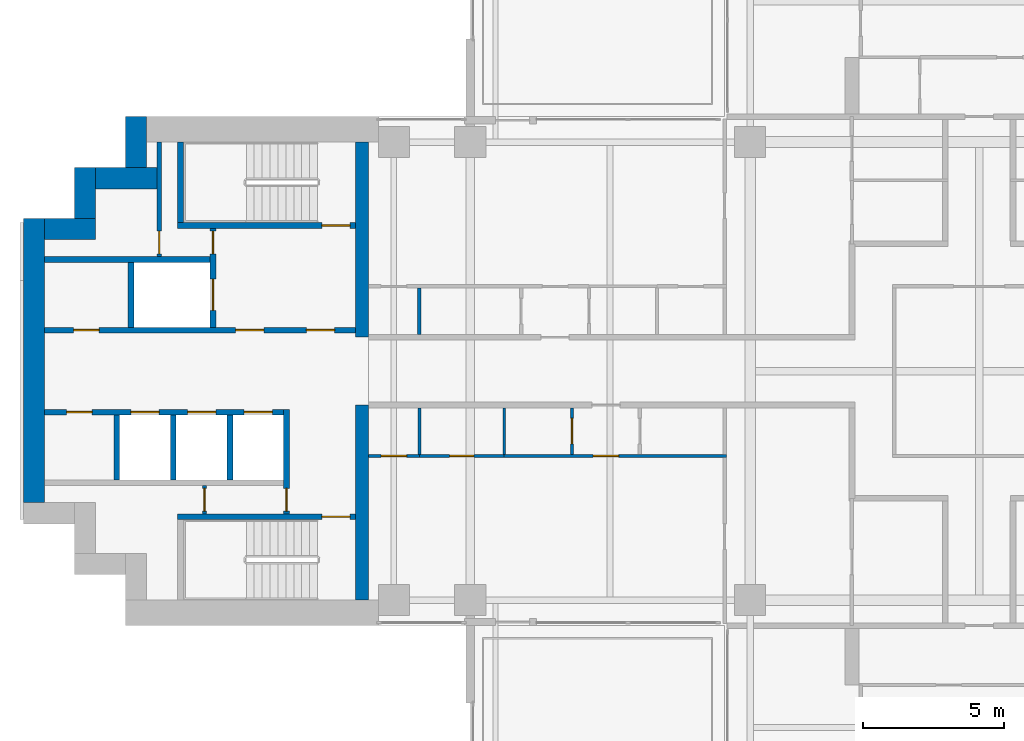
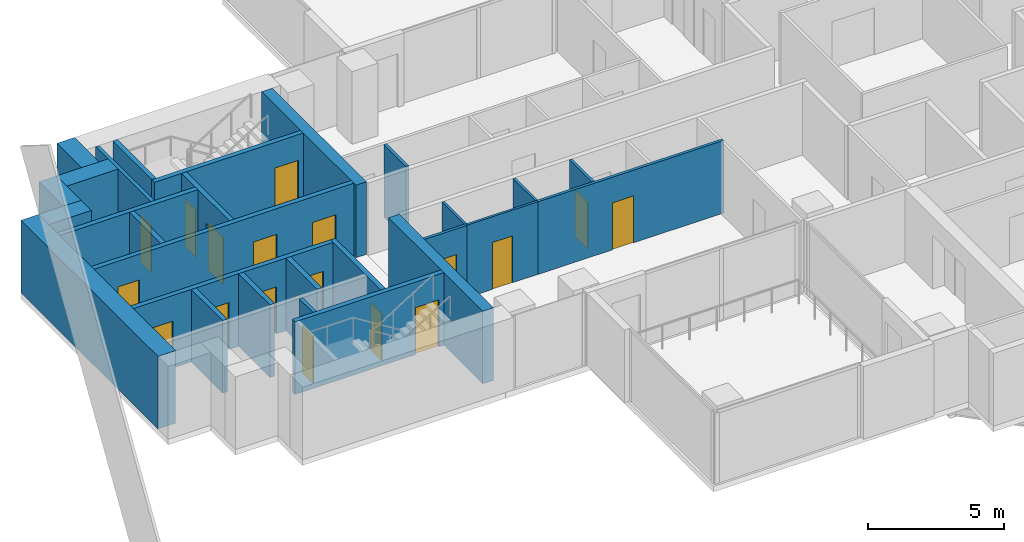
# One storey, part 9 of 19: 28 walls, 18 doors, 18 openings.
"""IFC4 building model written with IfcOpenShell, lengths in metres."""

import ifcopenshell
import ifcopenshell.guid

model = None  # the IFC model being written
_history = None  # IfcOwnerHistory: only IFC2X3 demands one
_inside = {}  # id of a spatial element -> (the spatial element, [elements in it])
_under = {}  # id of a project, library or spatial element -> (it, [spatial elements below it])
_declared = {}  # id of a project -> (the project, [libraries it declares])
_typed = {}  # id of a type object -> (the type object, [elements of that type])
_made_of = {}  # id of a material, layer set ... -> (it, [elements and type objects made of it])


def new_model(schema):
    """Start an empty IFC model of exactly this schema.

    Asked for "IFC4X3", IfcOpenShell would pick the latest addendum, in which some entities
    have other attributes; the version numbers below select the first issue.
    IFC2X3 requires an IfcOwnerHistory on every rooted entity: one is made here for all.
    """
    global model, _history
    if schema == "IFC4X3":
        model = ifcopenshell.file(schema_version=(4, 3, 0, 0))
    else:
        model = ifcopenshell.file(schema=schema)
    _inside.clear()
    _under.clear()
    _declared.clear()
    _typed.clear()
    _made_of.clear()
    _history = None
    if model.schema == "IFC2X3":
        org = make("IfcOrganization", Name="unknown")
        user = make(
            "IfcPersonAndOrganization",
            ThePerson=make("IfcPerson", FamilyName="unknown"),
            TheOrganization=org,
        )
        app = make(
            "IfcApplication",
            ApplicationDeveloper=org,
            Version="unknown",
            ApplicationFullName="unknown",
            ApplicationIdentifier="unknown",
        )
        _history = make(
            "IfcOwnerHistory",
            OwningUser=user,
            OwningApplication=app,
            ChangeAction="ADDED",
            CreationDate=0,
        )
    return model


def make(cls, **values):
    """One entity of the class cls with the attributes given. An attribute that is None is left unset."""
    return model.create_entity(
        cls, **{name: value for name, value in values.items() if value is not None}
    )


def rooted(cls, **values):
    """An entity with a GlobalId (a new one), such as an element, a storey or a relation."""
    return make(cls, GlobalId=ifcopenshell.guid.new(), OwnerHistory=_history, **values)


def si_unit(unit_type, name, prefix=None):
    """IfcSIUnit, for example si_unit("LENGTHUNIT", "METRE", prefix="MILLI")."""
    return make("IfcSIUnit", UnitType=unit_type, Prefix=prefix, Name=name)


def assignment(units):
    """IfcUnitAssignment: the units of a project."""
    return None if units is None else make("IfcUnitAssignment", Units=units)


def point(xyz):
    """IfcCartesianPoint."""
    return None if xyz is None else make("IfcCartesianPoint", Coordinates=xyz)


def direction(xyz):
    """IfcDirection."""
    return None if xyz is None else make("IfcDirection", DirectionRatios=xyz)


def frame(location, z_axis=None, x_axis=None):
    """IfcAxis2Placement3D, a coordinate frame: its origin and axes. An axis left out is left unset."""
    return make(
        "IfcAxis2Placement3D",
        Location=point(location),
        Axis=direction(z_axis),
        RefDirection=direction(x_axis),
    )


def frame_2d(location, x_axis=None):
    """IfcAxis2Placement2D, a coordinate frame in the plane: its origin and x axis."""
    return make(
        "IfcAxis2Placement2D", Location=point(location), RefDirection=direction(x_axis)
    )


def origin():
    """The frame at (0, 0, 0) with its axes left unset."""
    return frame((0.0, 0.0, 0.0))


def place(relative_to, where):
    """IfcLocalPlacement: puts the frame where relative to a parent placement (None: the world)."""
    return make(
        "IfcLocalPlacement", PlacementRelTo=relative_to, RelativePlacement=where
    )


def context(
    kind, dimensions, precision=None, world=None, true_north=None, identifier=None
):
    """IfcGeometricRepresentationContext, for example the 3D "Model" context."""
    return make(
        "IfcGeometricRepresentationContext",
        ContextIdentifier=identifier,
        ContextType=kind,
        CoordinateSpaceDimension=dimensions,
        Precision=precision,
        WorldCoordinateSystem=world,
        TrueNorth=true_north,
    )


def subcontext(parent, identifier, kind, view, scale=None):
    """IfcGeometricRepresentationSubContext, for example "Body" below "Model"."""
    return make(
        "IfcGeometricRepresentationSubContext",
        ContextIdentifier=identifier,
        ContextType=kind,
        ParentContext=parent,
        TargetScale=scale,
        TargetView=view,
    )


def project(units=None, contexts=None):
    """IfcProject with its units and contexts."""
    return rooted(
        "IfcProject",
        Name="project",
        RepresentationContexts=contexts,
        UnitsInContext=assignment(units),
    )


def spatial(cls, under=None, at=None, **own):
    """A site, building, storey or space (cls), placed at a placement, below another one or the project."""
    s = rooted(cls, ObjectPlacement=at, **own)
    if under is not None:
        _under.setdefault(under.id(), (under, []))[1].append(s)
    return s


def profile(cls, at=None, kind="AREA", **sizes):
    """A parametric profile (cls). Its sizes go by their IFC names, for example OverallWidth=200.0."""
    return make(cls, ProfileType=kind, Position=at, **sizes)


def rectangle(**sizes):
    """IfcRectangleProfileDef."""
    return profile("IfcRectangleProfileDef", **sizes)


def extrude(swept, where, along, depth):
    """IfcExtrudedAreaSolid: the profile swept, set in the frame where, extruded along a direction by depth."""
    return make(
        "IfcExtrudedAreaSolid",
        SweptArea=swept,
        Position=where,
        ExtrudedDirection=direction(along),
        Depth=depth,
    )


def shape(context_of_items, identifier, shape_type, items):
    """IfcShapeRepresentation: the items that make up one representation, for example the "Body"."""
    return make(
        "IfcShapeRepresentation",
        ContextOfItems=context_of_items,
        RepresentationIdentifier=identifier,
        RepresentationType=shape_type,
        Items=items,
    )


def material(Name=None, Category=None):
    """IfcMaterial."""
    return make("IfcMaterial", Name=Name, Category=Category)


def layer(
    of_material, thickness, ventilated=None, Name=None, Category=None, Priority=None
):
    """IfcMaterialLayer: one layer of a wall or slab, of a material (None: an air gap)."""
    return make(
        "IfcMaterialLayer",
        Material=of_material,
        LayerThickness=thickness,
        IsVentilated=ventilated,
        Name=Name,
        Category=Category,
        Priority=Priority,
    )


def layer_set(layers, Name=None):
    """IfcMaterialLayerSet."""
    return make("IfcMaterialLayerSet", MaterialLayers=layers, LayerSetName=Name)


def made_of(thing, what):
    """Note that an element or type object is made of a material, layer set ...; save() writes the relation."""
    if what is not None:
        _made_of.setdefault(what.id(), (what, []))[1].append(thing)
    return thing


def type_object(cls, material=None, **own):
    """A type object (cls), such as IfcWallType, which elements share."""
    return made_of(rooted(cls, **own), material)


def element(
    cls,
    number,
    at=None,
    inside=None,
    cuts=None,
    type_object=None,
    material=None,
    context=None,
    identifier="Body",
    shape_type=None,
    held_by="IfcProductDefinitionShape",
    body=None,
    shapes=None,
    **own,
):
    """One element of the class cls, such as IfcWall. Its Tag is "e" and its number.

    at: its placement. inside: the storey or other place that contains it. cuts: it is an
    opening in that element (IfcRelVoidsElement). A single representation is given by context,
    identifier, shape_type and body (its items); several are given by shapes. held_by: the class
    of the entity that holds the representations. save() writes the other relations.
    """
    e = rooted(cls, Tag="e%d" % number, ObjectPlacement=at, **own)
    if body is not None:
        shapes = [shape(context, identifier, shape_type, body)]
    if shapes is not None:
        e.Representation = make(held_by, Representations=shapes)
    if inside is not None:
        _inside.setdefault(inside.id(), (inside, []))[1].append(e)
    if cuts is not None:
        rooted(
            "IfcRelVoidsElement", RelatingBuildingElement=cuts, RelatedOpeningElement=e
        )
    if type_object is not None:
        _typed.setdefault(type_object.id(), (type_object, []))[1].append(e)
    return made_of(e, material)


def fill(opening, filler):
    """IfcRelFillsElement: the door or window that sits in an opening."""
    return rooted(
        "IfcRelFillsElement",
        RelatingOpeningElement=opening,
        RelatedBuildingElement=filler,
    )


def aggregate(whole, parts):
    """IfcRelAggregates: a whole, such as a stair, and the parts it consists of."""
    return rooted("IfcRelAggregates", RelatingObject=whole, RelatedObjects=parts)


def save(model, path):
    """Write the relations noted so far, then the file.

    IfcRelAggregates (storeys below a building ...), IfcRelContainedInSpatialStructure (elements
    in a storey), IfcRelDefinesByType, IfcRelAssociatesMaterial and IfcRelDeclares: one each for
    every whole, place, type object, material and project.
    """
    for whole, parts in _under.values():
        aggregate(whole, parts)
    for where, things in _inside.values():
        rooted(
            "IfcRelContainedInSpatialStructure",
            RelatedElements=things,
            RelatingStructure=where,
        )
    for kind, things in _typed.values():
        rooted("IfcRelDefinesByType", RelatedObjects=things, RelatingType=kind)
    for what, things in _made_of.values():
        rooted("IfcRelAssociatesMaterial", RelatedObjects=things, RelatingMaterial=what)
    for by, libraries in _declared.values():
        rooted("IfcRelDeclares", RelatingContext=by, RelatedDefinitions=libraries)
    model.write(path)


model = new_model("IFC4")

# Units and contexts
model_context = context("Model", 3, precision=1e-05, world=origin(), true_north=direction((0.0, 1.0)))
body_context = subcontext(model_context, "Body", "Model", "MODEL_VIEW")
ifc_project = project(units=[si_unit("LENGTHUNIT", "METRE"), si_unit("AREAUNIT", "SQUARE_METRE"), si_unit("VOLUMEUNIT", "CUBIC_METRE"), si_unit("PLANEANGLEUNIT", "RADIAN"), si_unit("MASSUNIT", "GRAM", prefix="KILO")], contexts=[model_context])

# Site, building, storey
site_placement = place(None, origin())
site = spatial("IfcSite", under=ifc_project, at=site_placement, CompositionType="ELEMENT")
building_placement = place(site_placement, origin())
building = spatial("IfcBuilding", under=site, at=building_placement, Name="Perihelion Cross Residences", CompositionType="ELEMENT")
storey_placement = place(building_placement, frame((0.0, 0.0, 109.39990234375)))
storey = spatial("IfcBuildingStorey", under=building, at=storey_placement, Name="L25", CompositionType="ELEMENT", Elevation=109.39990234375)

# Walls
ifc_material_1 = material(Name="Concrete C60/75", Category="concrete")
ifc_layer_1 = layer(ifc_material_1, 0.449951171875)
ifc_layer_set_1 = layer_set([ifc_layer_1], Name="Core wall, inner 450")
wall_type_1 = type_object("IfcWallType", Name="Core wall, inner 450", PredefinedType="SHEAR", material=ifc_layer_set_1)
for number, where, z_axis, x_axis, name in (
    (1, (-21.824951171875, -8.10009765625, 0.0), (0.0, 0.0, 1.0), (0.0, 1.0, 0.0), "West core core wall, inner"),
    (2, (-21.824951171875, 1.199951171875, 0.0), (0.0, 0.0, 1.0), (0.0, 1.0, 0.0), "West core core wall, inner"),
):
    element("IfcWall", number, at=place(storey_placement, frame(where, z_axis=z_axis, x_axis=x_axis)), inside=storey, type_object=wall_type_1, Name=name, PredefinedType="SHEAR", context=body_context, shape_type="SweptSolid", body=[
        extrude(rectangle(XDim=6.900146484375, YDim=0.449951171875, at=frame_2d((3.4501953125, 0.0))), origin(), (0.0, 0.0, 1.0), 3.25),
    ])
ifc_material_2 = material(Name="Concrete C60/75", Category="concrete")
ifc_layer_2 = layer(ifc_material_2, 0.75)
ifc_layer_set_2 = layer_set([ifc_layer_2], Name="Core wall, outer 750")
wall_type_2 = type_object("IfcWallType", Name="Core wall, outer 750", PredefinedType="SHEAR", material=ifc_layer_set_2)
wall_1_placement = place(storey_placement, frame((-33.425048828125, -4.64990234375, 0.0), z_axis=(0.0, 0.0, 1.0), x_axis=(0.0, 1.0, 0.0)))
element("IfcWall", 3, at=wall_1_placement, inside=storey, type_object=wall_type_2, Name="West core core wall, outer", PredefinedType="SHEAR", context=body_context, shape_type="SweptSolid", body=[
    extrude(rectangle(XDim=10.0498046875, YDim=0.75, at=frame_2d((5.02490234375, 0.0))), origin(), (0.0, 0.0, 1.0), 3.25),
])
for number, where, z_axis, x_axis, name in (
    (4, (-33.050048828125, 5.02490234375, 0.0), (0.0, 0.0, 1.0), (1.0, 0.0, 0.0), "West core core wall, outer"),
    (5, (-31.625, 5.39990234375, 0.0), (0.0, 0.0, 1.0), (0.0, 1.0, 0.0), "West core core wall, outer"),
):
    element("IfcWall", number, at=place(storey_placement, frame(where, z_axis=z_axis, x_axis=x_axis)), inside=storey, type_object=wall_type_2, Name=name, PredefinedType="SHEAR", context=body_context, shape_type="SweptSolid", body=[
        extrude(rectangle(XDim=1.800048828125, YDim=0.75, at=frame_2d((0.89990234375, 0.0))), origin(), (0.0, 0.0, 1.0), 3.25),
    ])
wall_2_placement = place(storey_placement, frame((-31.25, 6.824951171875, 0.0), z_axis=(0.0, 0.0, 1.0), x_axis=(1.0, 0.0, 0.0)))
element("IfcWall", 6, at=wall_2_placement, inside=storey, type_object=wall_type_2, Name="West core core wall, outer", PredefinedType="SHEAR", context=body_context, shape_type="SweptSolid", body=[
    extrude(rectangle(XDim=2.175048828125, YDim=0.75, at=frame_2d((1.08740234375, 0.0))), origin(), (0.0, 0.0, 1.0), 3.25),
])
wall_3_placement = place(storey_placement, frame((-29.824951171875, 7.199951171875, 0.0), z_axis=(0.0, 0.0, 1.0), x_axis=(0.0, 1.0, 0.0)))
element("IfcWall", 7, at=wall_3_placement, inside=storey, type_object=wall_type_2, Name="West core core wall, outer", PredefinedType="SHEAR", context=body_context, shape_type="SweptSolid", body=[
    extrude(rectangle(XDim=1.800048828125, YDim=0.75, at=frame_2d((0.89990234375, 0.0))), origin(), (0.0, 0.0, 1.0), 3.25),
])

# Wall, opening, door
ifc_material_3 = material(Name="Concrete C50/60", Category="concrete")
ifc_layer_3 = layer(ifc_material_3, 0.199951171875)
ifc_layer_set_3 = layer_set([ifc_layer_3], Name="Lobby wall 200")
wall_type_3 = type_object("IfcWallType", Name="Lobby wall 200", PredefinedType="SOLIDWALL", material=ifc_layer_set_3)
wall_4_placement = place(storey_placement, frame((-24.5, -5.050048828125, 0.0), z_axis=(0.0, 0.0, 1.0), x_axis=(0.0, 1.0, 0.0)))
wall_4 = element("IfcWall", 8, at=wall_4_placement, inside=storey, type_object=wall_type_3, Name="West core lobby wall", PredefinedType="SOLIDWALL", context=body_context, shape_type="SweptSolid", body=[
    extrude(rectangle(XDim=3.699951171875, YDim=0.199951171875, at=frame_2d((1.85009765625, 0.0))), origin(), (0.0, 0.0, 1.0), 3.25),
])
opening_1_placement = place(wall_4_placement, frame((0.10009765625, 0.0, 0.0)))
opening_1 = element("IfcOpeningElement", 9, at=opening_1_placement, cuts=wall_4, Name="Opening L25.C22", PredefinedType="OPENING", context=body_context, shape_type="SweptSolid", body=[
    extrude(rectangle(XDim=0.800048828125, YDim=2.10009765625, at=frame_2d((0.39990234375, 1.050048828125))), frame((0.0, 0.10986328125, 0.0), z_axis=(0.0, -1.0, 0.0), x_axis=(1.0, 0.0, 0.0)), (0.0, 0.0, 1.0), 0.219970703125),
])
ifc_material_4 = material(Name="Steel, powder coated", Category="steel")
door_type_1 = type_object("IfcDoorType", Name="Riser door 800", OperationType="SINGLE_SWING_LEFT", PredefinedType="DOOR", material=ifc_material_4)
door_1_placement = place(opening_1_placement, origin())
door_1 = element("IfcDoor", 10, at=door_1_placement, inside=storey, type_object=door_type_1, Name="West core riser door", OperationType="SINGLE_SWING_LEFT", OverallHeight=2.10009765625, OverallWidth=0.800048828125, PredefinedType="DOOR", context=body_context, shape_type="SweptSolid", body=[
    extrude(rectangle(XDim=0.800048828125, YDim=2.10009765625, at=frame_2d((0.39990234375, 1.050048828125))), frame((0.0, 0.02490234375, 0.0), z_axis=(0.0, -1.0, 0.0), x_axis=(1.0, 0.0, 0.0)), (0.0, 0.0, 1.0), 0.050048828125),
])
fill(opening_1, door_1)

# Wall
ifc_material_5 = material(Name="Plasterboard partition")
ifc_layer_4 = layer(ifc_material_5, 0.1201171875)
ifc_layer_set_4 = layer_set([ifc_layer_4], Name="Partition wall 120")
wall_type_4 = type_object("IfcWallType", Name="Partition wall 120", PredefinedType="PARTITIONING", material=ifc_layer_set_4)
wall_5_placement = place(storey_placement, frame((-19.800048828125, 1.300048828125, 0.0), z_axis=(0.0, 0.0, 1.0), x_axis=(0.0, 1.0, 0.0)))
element("IfcWall", 11, at=wall_5_placement, inside=storey, type_object=wall_type_4, Name="Partition L25 W049", PredefinedType="PARTITIONING", context=body_context, shape_type="SweptSolid", body=[
    extrude(rectangle(XDim=1.639892578125, YDim=0.1201171875, at=frame_2d((0.81982421875, 0.0))), origin(), (0.0, 0.0, 1.0), 3.25),
])

# Wall, opening, door
wall_6_placement = place(storey_placement, frame((-8.93994140625, -3.0, 0.0), z_axis=(0.0, 0.0, 1.0), x_axis=(-1.0, 0.0, 0.0)))
wall_6 = element("IfcWall", 12, at=wall_6_placement, inside=storey, type_object=wall_type_4, Name="Partition L25 W054", PredefinedType="PARTITIONING", context=body_context, shape_type="SweptSolid", body=[
    extrude(rectangle(XDim=7.860107421875, YDim=0.1201171875, at=frame_2d((3.93017578125, 0.0))), origin(), (0.0, 0.0, 1.0), 3.25),
])
opening_2_placement = place(wall_6_placement, frame((3.81005859375, 0.0, 0.0)))
opening_2 = element("IfcOpeningElement", 13, at=opening_2_placement, cuts=wall_6, Name="Opening L25.A29", PredefinedType="OPENING", context=body_context, shape_type="SweptSolid", body=[
    extrude(rectangle(XDim=0.89990234375, YDim=2.10009765625, at=frame_2d((0.449951171875, 1.050048828125))), frame((0.0, 0.070068359375, 0.0), z_axis=(0.0, -1.0, 0.0), x_axis=(1.0, 0.0, 0.0)), (0.0, 0.0, 1.0), 0.14013671875),
])
ifc_material_6 = material(Name="Timber door leaf", Category="wood")
door_type_2 = type_object("IfcDoorType", Name="Interior room door 900 x 2100", OperationType="SINGLE_SWING_LEFT", PredefinedType="DOOR", material=ifc_material_6)
door_2_placement = place(opening_2_placement, origin())
door_2 = element("IfcDoor", 14, at=door_2_placement, inside=storey, type_object=door_type_2, Name="Door L25.A29", OperationType="SINGLE_SWING_RIGHT", OverallHeight=2.10009765625, OverallWidth=0.89990234375, PredefinedType="DOOR", context=body_context, shape_type="SweptSolid", body=[
    extrude(rectangle(XDim=0.89990234375, YDim=2.10009765625, at=frame_2d((0.449951171875, 1.050048828125))), frame((0.0, 0.02490234375, 0.0), z_axis=(0.0, -1.0, 0.0), x_axis=(1.0, 0.0, 0.0)), (0.0, 0.0, 1.0), 0.050048828125),
])
fill(opening_2, door_2)

wall_7_placement = place(storey_placement, frame((-14.39990234375, -2.93994140625, 0.0), z_axis=(0.0, 0.0, 1.0), x_axis=(0.0, 1.0, 0.0)))
wall_7 = element("IfcWall", 15, at=wall_7_placement, inside=storey, type_object=wall_type_4, Name="Partition L25 W056", PredefinedType="PARTITIONING", context=body_context, shape_type="SweptSolid", body=[
    extrude(rectangle(XDim=1.639892578125, YDim=0.1201171875, at=frame_2d((0.81982421875, 0.0))), origin(), (0.0, 0.0, 1.0), 3.25),
])
opening_3_placement = place(wall_7_placement, frame((0.3701171875, 0.0, 0.0)))
opening_3 = element("IfcOpeningElement", 16, at=opening_3_placement, cuts=wall_7, Name="Opening L25.A31", PredefinedType="OPENING", context=body_context, shape_type="SweptSolid", body=[
    extrude(rectangle(XDim=0.89990234375, YDim=2.10009765625, at=frame_2d((0.449951171875, 1.050048828125))), frame((0.0, 0.070068359375, 0.0), z_axis=(0.0, -1.0, 0.0), x_axis=(1.0, 0.0, 0.0)), (0.0, 0.0, 1.0), 0.14013671875),
])
door_3_placement = place(opening_3_placement, origin())
door_3 = element("IfcDoor", 17, at=door_3_placement, inside=storey, type_object=door_type_2, Name="Door L25.A31", OperationType="SINGLE_SWING_LEFT", OverallHeight=2.10009765625, OverallWidth=0.89990234375, PredefinedType="DOOR", context=body_context, shape_type="SweptSolid", body=[
    extrude(rectangle(XDim=0.89990234375, YDim=2.10009765625, at=frame_2d((0.449951171875, 1.050048828125))), frame((0.0, 0.02490234375, 0.0), z_axis=(0.0, -1.0, 0.0), x_axis=(1.0, 0.0, 0.0)), (0.0, 0.0, 1.0), 0.050048828125),
])
fill(opening_3, door_3)

wall_8_placement = place(storey_placement, frame((-19.800048828125, -3.0, 0.0), z_axis=(0.0, 0.0, 1.0), x_axis=(-1.0, 0.0, 0.0)))
wall_8 = element("IfcWall", 18, at=wall_8_placement, inside=storey, type_object=wall_type_4, Name="Partition L25 W060", PredefinedType="PARTITIONING", context=body_context, shape_type="SweptSolid", body=[
    extrude(rectangle(XDim=1.800048828125, YDim=0.1201171875, at=frame_2d((0.89990234375, 0.0))), origin(), (0.0, 0.0, 1.0), 3.25),
])
opening_4_placement = place(wall_8_placement, frame((0.449951171875, 0.0, 0.0)))
opening_4 = element("IfcOpeningElement", 19, at=opening_4_placement, cuts=wall_8, Name="Opening L25.A28", PredefinedType="OPENING", context=body_context, shape_type="SweptSolid", body=[
    extrude(rectangle(XDim=0.89990234375, YDim=2.10009765625, at=frame_2d((0.449951171875, 1.050048828125))), frame((0.0, 0.070068359375, 0.0), z_axis=(0.0, -1.0, 0.0), x_axis=(1.0, 0.0, 0.0)), (0.0, 0.0, 1.0), 0.14013671875),
])
door_4_placement = place(opening_4_placement, origin())
door_4 = element("IfcDoor", 20, at=door_4_placement, inside=storey, type_object=door_type_2, Name="Door L25.A28", OperationType="SINGLE_SWING_LEFT", OverallHeight=2.10009765625, OverallWidth=0.89990234375, PredefinedType="DOOR", context=body_context, shape_type="SweptSolid", body=[
    extrude(rectangle(XDim=0.89990234375, YDim=2.10009765625, at=frame_2d((0.449951171875, 1.050048828125))), frame((0.0, 0.02490234375, 0.0), z_axis=(0.0, -1.0, 0.0), x_axis=(1.0, 0.0, 0.0)), (0.0, 0.0, 1.0), 0.050048828125),
])
fill(opening_4, door_4)

ifc_material_7 = material(Name="Fire-rated board on steel stud", Category="steel")
ifc_layer_5 = layer(ifc_material_7, 0.14990234375)
ifc_layer_set_5 = layer_set([ifc_layer_5], Name="Riser wall 150")
wall_type_5 = type_object("IfcWallType", Name="Riser wall 150", PredefinedType="PARTITIONING", material=ifc_layer_set_5)
wall_9_placement = place(storey_placement, frame((-29.0, 4.050048828125, 0.0), z_axis=(0.0, 0.0, 1.0), x_axis=(0.0, 1.0, 0.0)))
wall_9 = element("IfcWall", 21, at=wall_9_placement, inside=storey, type_object=wall_type_5, Name="West core riser wall", PredefinedType="PARTITIONING", context=body_context, shape_type="SweptSolid", body=[
    extrude(rectangle(XDim=4.050048828125, YDim=0.14990234375, at=frame_2d((2.02490234375, 0.0))), origin(), (0.0, 0.0, 1.0), 3.25),
])
opening_5_placement = place(wall_9_placement, frame((0.10009765625, 0.0, 0.0)))
opening_5 = element("IfcOpeningElement", 22, at=opening_5_placement, cuts=wall_9, Name="Opening L25.C26", PredefinedType="OPENING", context=body_context, shape_type="SweptSolid", body=[
    extrude(rectangle(XDim=0.800048828125, YDim=2.10009765625, at=frame_2d((0.39990234375, 1.050048828125))), frame((0.0, 0.0849609375, 0.0), z_axis=(0.0, -1.0, 0.0), x_axis=(1.0, 0.0, 0.0)), (0.0, 0.0, 1.0), 0.169921875),
])
door_5_placement = place(opening_5_placement, origin())
door_5 = element("IfcDoor", 23, at=door_5_placement, inside=storey, type_object=door_type_1, Name="West core riser door", OperationType="SINGLE_SWING_LEFT", OverallHeight=2.10009765625, OverallWidth=0.800048828125, PredefinedType="DOOR", context=body_context, shape_type="SweptSolid", body=[
    extrude(rectangle(XDim=0.800048828125, YDim=2.10009765625, at=frame_2d((0.39990234375, 1.050048828125))), frame((0.0, 0.02490234375, 0.0), z_axis=(0.0, -1.0, 0.0), x_axis=(1.0, 0.0, 0.0)), (0.0, 0.0, 1.0), 0.050048828125),
])
fill(opening_5, door_5)

wall_10_placement = place(storey_placement, frame((-27.39990234375, -5.050048828125, 0.0), z_axis=(0.0, 0.0, 1.0), x_axis=(0.0, 1.0, 0.0)))
wall_10 = element("IfcWall", 24, at=wall_10_placement, inside=storey, type_object=wall_type_5, Name="West core riser wall", PredefinedType="PARTITIONING", context=body_context, shape_type="SweptSolid", body=[
    extrude(rectangle(XDim=1.0, YDim=0.14990234375, at=frame_2d((0.5, 0.0))), origin(), (0.0, 0.0, 1.0), 3.25),
])
opening_6_placement = place(wall_10_placement, frame((0.10009765625, 0.0, 0.0)))
opening_6 = element("IfcOpeningElement", 25, at=opening_6_placement, cuts=wall_10, Name="Opening L25.C25", PredefinedType="OPENING", context=body_context, shape_type="SweptSolid", body=[
    extrude(rectangle(XDim=0.800048828125, YDim=2.10009765625, at=frame_2d((0.39990234375, 1.050048828125))), frame((0.0, 0.0849609375, 0.0), z_axis=(0.0, -1.0, 0.0), x_axis=(1.0, 0.0, 0.0)), (0.0, 0.0, 1.0), 0.169921875),
])
door_6_placement = place(opening_6_placement, origin())
door_6 = element("IfcDoor", 26, at=door_6_placement, inside=storey, type_object=door_type_1, Name="West core riser door", OperationType="SINGLE_SWING_LEFT", OverallHeight=2.10009765625, OverallWidth=0.800048828125, PredefinedType="DOOR", context=body_context, shape_type="SweptSolid", body=[
    extrude(rectangle(XDim=0.800048828125, YDim=2.10009765625, at=frame_2d((0.39990234375, 1.050048828125))), frame((0.0, 0.02490234375, 0.0), z_axis=(0.0, -1.0, 0.0), x_axis=(1.0, 0.0, 0.0)), (0.0, 0.0, 1.0), 0.050048828125),
])
fill(opening_6, door_6)

# Wall, openings, doors
ifc_material_8 = material(Name="Concrete C50/60", Category="concrete")
ifc_layer_6 = layer(ifc_material_8, 0.199951171875)
ifc_layer_set_6 = layer_set([ifc_layer_6], Name="Shaft wall 200")
wall_type_6 = type_object("IfcWallType", Name="Shaft wall 200", PredefinedType="SOLIDWALL", material=ifc_layer_set_6)
wall_11_placement = place(storey_placement, frame((-33.050048828125, 1.449951171875, 0.0), z_axis=(0.0, 0.0, 1.0), x_axis=(1.0, 0.0, 0.0)))
wall_11 = element("IfcWall", 27, at=wall_11_placement, inside=storey, type_object=wall_type_6, Name="West core shaft wall", PredefinedType="SOLIDWALL", context=body_context, shape_type="SweptSolid", body=[
    extrude(rectangle(XDim=11.0, YDim=0.199951171875, at=frame_2d((5.5, 0.0))), origin(), (0.0, 0.0, 1.0), 3.25),
])
opening_7_placement = place(wall_11_placement, frame((9.25, 0.0, 0.0)))
opening_7 = element("IfcOpeningElement", 28, at=opening_7_placement, cuts=wall_11, Name="Opening L25.C21", PredefinedType="OPENING", context=body_context, shape_type="SweptSolid", body=[
    extrude(rectangle(XDim=1.0, YDim=2.10009765625, at=frame_2d((0.5, 1.050048828125))), frame((0.0, 0.10986328125, 0.0), z_axis=(0.0, -1.0, 0.0), x_axis=(1.0, 0.0, 0.0)), (0.0, 0.0, 1.0), 0.219970703125),
])
opening_8_placement = place(wall_11_placement, frame((6.75, 0.0, 0.0)))
opening_8 = element("IfcOpeningElement", 29, at=opening_8_placement, cuts=wall_11, Name="Opening L25.C23", PredefinedType="OPENING", context=body_context, shape_type="SweptSolid", body=[
    extrude(rectangle(XDim=1.0, YDim=2.10009765625, at=frame_2d((0.5, 1.050048828125))), frame((0.0, 0.10986328125, 0.0), z_axis=(0.0, -1.0, 0.0), x_axis=(1.0, 0.0, 0.0)), (0.0, 0.0, 1.0), 0.219970703125),
])
opening_9_placement = place(wall_11_placement, frame((1.02490234375, 0.0, 0.0)))
opening_9 = element("IfcOpeningElement", 30, at=opening_9_placement, cuts=wall_11, Name="Opening L25.C27", PredefinedType="OPENING", context=body_context, shape_type="SweptSolid", body=[
    extrude(rectangle(XDim=0.89990234375, YDim=2.10009765625, at=frame_2d((0.449951171875, 1.050048828125))), frame((0.0, 0.10986328125, 0.0), z_axis=(0.0, -1.0, 0.0), x_axis=(1.0, 0.0, 0.0)), (0.0, 0.0, 1.0), 0.219970703125),
])
ifc_material_9 = material(Name="Steel, powder coated", Category="steel")
door_type_3 = type_object("IfcDoorType", Name="Lobby door 1000", OperationType="SINGLE_SWING_LEFT", PredefinedType="DOOR", material=ifc_material_9)
door_7_placement = place(opening_7_placement, origin())
door_7 = element("IfcDoor", 31, at=door_7_placement, inside=storey, type_object=door_type_3, Name="West core firefighting lobby door", OperationType="SINGLE_SWING_LEFT", OverallHeight=2.10009765625, OverallWidth=1.0, PredefinedType="DOOR", context=body_context, shape_type="SweptSolid", body=[
    extrude(rectangle(XDim=1.0, YDim=2.10009765625, at=frame_2d((0.5, 1.050048828125))), frame((0.0, 0.02490234375, 0.0), z_axis=(0.0, -1.0, 0.0), x_axis=(1.0, 0.0, 0.0)), (0.0, 0.0, 1.0), 0.050048828125),
])
fill(opening_7, door_7)
door_8_placement = place(opening_8_placement, origin())
door_8 = element("IfcDoor", 32, at=door_8_placement, inside=storey, type_object=door_type_3, Name="West core firefighting lobby door", OperationType="SINGLE_SWING_LEFT", OverallHeight=2.10009765625, OverallWidth=1.0, PredefinedType="DOOR", context=body_context, shape_type="SweptSolid", body=[
    extrude(rectangle(XDim=1.0, YDim=2.10009765625, at=frame_2d((0.5, 1.050048828125))), frame((0.0, 0.02490234375, 0.0), z_axis=(0.0, -1.0, 0.0), x_axis=(1.0, 0.0, 0.0)), (0.0, 0.0, 1.0), 0.050048828125),
])
fill(opening_8, door_8)
ifc_material_10 = material(Name="Steel, powder coated", Category="steel")
door_type_4 = type_object("IfcDoorType", Name="Service room door 900", OperationType="SINGLE_SWING_LEFT", PredefinedType="DOOR", material=ifc_material_10)
door_9_placement = place(opening_9_placement, origin())
door_9 = element("IfcDoor", 33, at=door_9_placement, inside=storey, type_object=door_type_4, Name="West core service room door", OperationType="SINGLE_SWING_LEFT", OverallHeight=2.10009765625, OverallWidth=0.89990234375, PredefinedType="DOOR", context=body_context, shape_type="SweptSolid", body=[
    extrude(rectangle(XDim=0.89990234375, YDim=2.10009765625, at=frame_2d((0.449951171875, 1.050048828125))), frame((0.0, 0.02490234375, 0.0), z_axis=(0.0, -1.0, 0.0), x_axis=(1.0, 0.0, 0.0)), (0.0, 0.0, 1.0), 0.050048828125),
])
fill(opening_9, door_9)

wall_12_placement = place(storey_placement, frame((-33.050048828125, -1.449951171875, 0.0), z_axis=(0.0, 0.0, 1.0), x_axis=(1.0, 0.0, 0.0)))
wall_12 = element("IfcWall", 34, at=wall_12_placement, inside=storey, type_object=wall_type_6, Name="West core shaft wall", PredefinedType="SOLIDWALL", context=body_context, shape_type="SweptSolid", body=[
    extrude(rectangle(XDim=8.449951171875, YDim=0.199951171875, at=frame_2d((4.22509765625, 0.0))), origin(), (0.0, 0.0, 1.0), 3.25),
])
opening_10_placement = place(wall_12_placement, frame((7.050048828125, 0.0, 0.0)))
opening_10 = element("IfcOpeningElement", 35, at=opening_10_placement, cuts=wall_12, Name="Opening L25.C15", PredefinedType="OPENING", context=body_context, shape_type="SweptSolid", body=[
    extrude(rectangle(XDim=1.0, YDim=2.10009765625, at=frame_2d((0.5, 1.050048828125))), frame((0.0, 0.10986328125, 0.0), z_axis=(0.0, -1.0, 0.0), x_axis=(1.0, 0.0, 0.0)), (0.0, 0.0, 1.0), 0.219970703125),
])
opening_11_placement = place(wall_12_placement, frame((5.050048828125, 0.0, 0.0)))
opening_11 = element("IfcOpeningElement", 36, at=opening_11_placement, cuts=wall_12, Name="Opening L25.C17", PredefinedType="OPENING", context=body_context, shape_type="SweptSolid", body=[
    extrude(rectangle(XDim=1.0, YDim=2.10009765625, at=frame_2d((0.5, 1.050048828125))), frame((0.0, 0.10986328125, 0.0), z_axis=(0.0, -1.0, 0.0), x_axis=(1.0, 0.0, 0.0)), (0.0, 0.0, 1.0), 0.219970703125),
])
opening_12_placement = place(wall_12_placement, frame((3.050048828125, 0.0, 0.0)))
opening_12 = element("IfcOpeningElement", 37, at=opening_12_placement, cuts=wall_12, Name="Opening L25.C18", PredefinedType="OPENING", context=body_context, shape_type="SweptSolid", body=[
    extrude(rectangle(XDim=1.0, YDim=2.10009765625, at=frame_2d((0.5, 1.050048828125))), frame((0.0, 0.10986328125, 0.0), z_axis=(0.0, -1.0, 0.0), x_axis=(1.0, 0.0, 0.0)), (0.0, 0.0, 1.0), 0.219970703125),
])
opening_13_placement = place(wall_12_placement, frame((0.77490234375, 0.0, 0.0)))
opening_13 = element("IfcOpeningElement", 38, at=opening_13_placement, cuts=wall_12, Name="Opening L25.C28", PredefinedType="OPENING", context=body_context, shape_type="SweptSolid", body=[
    extrude(rectangle(XDim=0.89990234375, YDim=2.10009765625, at=frame_2d((0.449951171875, 1.050048828125))), frame((0.0, 0.10986328125, 0.0), z_axis=(0.0, -1.0, 0.0), x_axis=(1.0, 0.0, 0.0)), (0.0, 0.0, 1.0), 0.219970703125),
])
ifc_material_11 = material(Name="Stainless steel", Category="steel")
door_type_5 = type_object("IfcDoorType", Name="Landing door 1000", OperationType="DOUBLE_DOOR_SLIDING", PredefinedType="DOOR", material=ifc_material_11)
door_10_placement = place(opening_10_placement, origin())
door_10 = element("IfcDoor", 39, at=door_10_placement, inside=storey, type_object=door_type_5, Name="Landing door, West core high-rise lift 1", OperationType="DOUBLE_DOOR_SLIDING", OverallHeight=2.10009765625, OverallWidth=1.0, PredefinedType="DOOR", context=body_context, shape_type="SweptSolid", body=[
    extrude(rectangle(XDim=1.0, YDim=2.10009765625, at=frame_2d((0.5, 1.050048828125))), frame((0.0, 0.02490234375, 0.0), z_axis=(0.0, -1.0, 0.0), x_axis=(1.0, 0.0, 0.0)), (0.0, 0.0, 1.0), 0.050048828125),
])
fill(opening_10, door_10)
door_11_placement = place(opening_11_placement, origin())
door_11 = element("IfcDoor", 40, at=door_11_placement, inside=storey, type_object=door_type_5, Name="Landing door, West core high-rise lift 2", OperationType="DOUBLE_DOOR_SLIDING", OverallHeight=2.10009765625, OverallWidth=1.0, PredefinedType="DOOR", context=body_context, shape_type="SweptSolid", body=[
    extrude(rectangle(XDim=1.0, YDim=2.10009765625, at=frame_2d((0.5, 1.050048828125))), frame((0.0, 0.02490234375, 0.0), z_axis=(0.0, -1.0, 0.0), x_axis=(1.0, 0.0, 0.0)), (0.0, 0.0, 1.0), 0.050048828125),
])
fill(opening_11, door_11)
door_12_placement = place(opening_12_placement, origin())
door_12 = element("IfcDoor", 41, at=door_12_placement, inside=storey, type_object=door_type_5, Name="Landing door, West core high-rise lift 3", OperationType="DOUBLE_DOOR_SLIDING", OverallHeight=2.10009765625, OverallWidth=1.0, PredefinedType="DOOR", context=body_context, shape_type="SweptSolid", body=[
    extrude(rectangle(XDim=1.0, YDim=2.10009765625, at=frame_2d((0.5, 1.050048828125))), frame((0.0, 0.02490234375, 0.0), z_axis=(0.0, -1.0, 0.0), x_axis=(1.0, 0.0, 0.0)), (0.0, 0.0, 1.0), 0.050048828125),
])
fill(opening_12, door_12)
door_13_placement = place(opening_13_placement, origin())
door_13 = element("IfcDoor", 42, at=door_13_placement, inside=storey, type_object=door_type_4, Name="West core service room door", OperationType="SINGLE_SWING_LEFT", OverallHeight=2.10009765625, OverallWidth=0.89990234375, PredefinedType="DOOR", context=body_context, shape_type="SweptSolid", body=[
    extrude(rectangle(XDim=0.89990234375, YDim=2.10009765625, at=frame_2d((0.449951171875, 1.050048828125))), frame((0.0, 0.02490234375, 0.0), z_axis=(0.0, -1.0, 0.0), x_axis=(1.0, 0.0, 0.0)), (0.0, 0.0, 1.0), 0.050048828125),
])
fill(opening_13, door_13)

# Wall
wall_13_placement = place(storey_placement, frame((-33.050048828125, 3.949951171875, 0.0), z_axis=(0.0, 0.0, 1.0), x_axis=(1.0, 0.0, 0.0)))
element("IfcWall", 43, at=wall_13_placement, inside=storey, type_object=wall_type_6, Name="West core shaft wall", PredefinedType="SOLIDWALL", context=body_context, shape_type="SweptSolid", body=[
    extrude(rectangle(XDim=5.85009765625, YDim=0.199951171875, at=frame_2d((2.925048828125, 0.0))), origin(), (0.0, 0.0, 1.0), 3.25),
])

# Wall, openings, doors
wall_14_placement = place(storey_placement, frame((-27.10009765625, 1.550048828125, 0.0), z_axis=(0.0, 0.0, 1.0), x_axis=(0.0, 1.0, 0.0)))
wall_14 = element("IfcWall", 44, at=wall_14_placement, inside=storey, type_object=wall_type_6, Name="West core shaft wall", PredefinedType="SOLIDWALL", context=body_context, shape_type="SweptSolid", body=[
    extrude(rectangle(XDim=3.5, YDim=0.199951171875, at=frame_2d((1.75, 0.0))), origin(), (0.0, 0.0, 1.0), 3.25),
])
opening_14_placement = place(wall_14_placement, frame((0.60009765625, 0.0, 0.0)))
opening_14 = element("IfcOpeningElement", 45, at=opening_14_placement, cuts=wall_14, Name="Opening L25.C16", PredefinedType="OPENING", context=body_context, shape_type="SweptSolid", body=[
    extrude(rectangle(XDim=1.10009765625, YDim=2.10009765625, at=frame_2d((0.550048828125, 1.050048828125))), frame((0.0, 0.10986328125, 0.0), z_axis=(0.0, -1.0, 0.0), x_axis=(1.0, 0.0, 0.0)), (0.0, 0.0, 1.0), 0.219970703125),
])
opening_15_placement = place(wall_14_placement, frame((2.60009765625, 0.0, 0.0)))
opening_15 = element("IfcOpeningElement", 46, at=opening_15_placement, cuts=wall_14, Name="Opening L25.C24", PredefinedType="OPENING", context=body_context, shape_type="SweptSolid", body=[
    extrude(rectangle(XDim=0.800048828125, YDim=2.10009765625, at=frame_2d((0.39990234375, 1.050048828125))), frame((0.0, 0.10986328125, 0.0), z_axis=(0.0, -1.0, 0.0), x_axis=(1.0, 0.0, 0.0)), (0.0, 0.0, 1.0), 0.219970703125),
])
ifc_material_12 = material(Name="Stainless steel", Category="steel")
door_type_6 = type_object("IfcDoorType", Name="Landing door, firefighting lift 1100", OperationType="DOUBLE_DOOR_SLIDING", PredefinedType="DOOR", material=ifc_material_12)
door_14_placement = place(opening_14_placement, origin())
door_14 = element("IfcDoor", 47, at=door_14_placement, inside=storey, type_object=door_type_6, Name="Landing door, West core firefighting and service lift", OperationType="DOUBLE_DOOR_SLIDING", OverallHeight=2.10009765625, OverallWidth=1.10009765625, PredefinedType="DOOR", context=body_context, shape_type="SweptSolid", body=[
    extrude(rectangle(XDim=1.10009765625, YDim=2.10009765625, at=frame_2d((0.550048828125, 1.050048828125))), frame((0.0, 0.02490234375, 0.0), z_axis=(0.0, -1.0, 0.0), x_axis=(1.0, 0.0, 0.0)), (0.0, 0.0, 1.0), 0.050048828125),
])
fill(opening_14, door_14)
door_15_placement = place(opening_15_placement, origin())
door_15 = element("IfcDoor", 48, at=door_15_placement, inside=storey, type_object=door_type_1, Name="West core riser door", OperationType="SINGLE_SWING_LEFT", OverallHeight=2.10009765625, OverallWidth=0.800048828125, PredefinedType="DOOR", context=body_context, shape_type="SweptSolid", body=[
    extrude(rectangle(XDim=0.800048828125, YDim=2.10009765625, at=frame_2d((0.39990234375, 1.050048828125))), frame((0.0, 0.02490234375, 0.0), z_axis=(0.0, -1.0, 0.0), x_axis=(1.0, 0.0, 0.0)), (0.0, 0.0, 1.0), 0.050048828125),
])
fill(opening_15, door_15)

# Walls
for number, where, z_axis, x_axis, name in (
    (49, (-30.0, 1.550048828125, 0.0), (0.0, 0.0, 1.0), (0.0, 1.0, 0.0), "West core shaft wall"),
    (50, (-26.5, -3.85009765625, 0.0), (0.0, 0.0, 1.0), (0.0, 1.0, 0.0), "West core shaft wall"),
    (51, (-28.5, -3.85009765625, 0.0), (0.0, 0.0, 1.0), (0.0, 1.0, 0.0), "West core shaft wall"),
    (52, (-30.5, -3.85009765625, 0.0), (0.0, 0.0, 1.0), (0.0, 1.0, 0.0), "West core shaft wall"),
):
    element("IfcWall", number, at=place(storey_placement, frame(where, z_axis=z_axis, x_axis=x_axis)), inside=storey, type_object=wall_type_6, Name=name, PredefinedType="SOLIDWALL", context=body_context, shape_type="SweptSolid", body=[
        extrude(rectangle(XDim=2.300048828125, YDim=0.199951171875, at=frame_2d((1.14990234375, 0.0))), origin(), (0.0, 0.0, 1.0), 3.25),
    ])

# Wall, opening, door
ifc_material_13 = material(Name="Concrete C50/60", Category="concrete")
ifc_layer_7 = layer(ifc_material_13, 0.199951171875)
ifc_layer_set_7 = layer_set([ifc_layer_7], Name="Stair wall 200")
wall_type_7 = type_object("IfcWallType", Name="Stair wall 200", PredefinedType="SOLIDWALL", material=ifc_layer_set_7)
wall_15_placement = place(storey_placement, frame((-28.35009765625, 5.14990234375, 0.0), z_axis=(0.0, 0.0, 1.0), x_axis=(1.0, 0.0, 0.0)))
wall_15 = element("IfcWall", 53, at=wall_15_placement, inside=storey, type_object=wall_type_7, Name="West core stair wall", PredefinedType="SOLIDWALL", context=body_context, shape_type="SweptSolid", body=[
    extrude(rectangle(XDim=6.300048828125, YDim=0.199951171875, at=frame_2d((3.14990234375, 0.0))), origin(), (0.0, 0.0, 1.0), 3.25),
])
opening_16_placement = place(wall_15_placement, frame((5.10009765625, 0.0, 0.0)))
opening_16 = element("IfcOpeningElement", 54, at=opening_16_placement, cuts=wall_15, Name="Opening L25.C20", PredefinedType="OPENING", context=body_context, shape_type="SweptSolid", body=[
    extrude(rectangle(XDim=1.0, YDim=2.10009765625, at=frame_2d((0.5, 1.050048828125))), frame((0.0, 0.10986328125, 0.0), z_axis=(0.0, -1.0, 0.0), x_axis=(1.0, 0.0, 0.0)), (0.0, 0.0, 1.0), 0.219970703125),
])
ifc_material_14 = material(Name="Steel, powder coated", Category="steel")
door_type_7 = type_object("IfcDoorType", Name="Stair door 1000", OperationType="SINGLE_SWING_LEFT", PredefinedType="DOOR", material=ifc_material_14)
door_16_placement = place(opening_16_placement, origin())
door_16 = element("IfcDoor", 55, at=door_16_placement, inside=storey, type_object=door_type_7, Name="West core stair door", OperationType="SINGLE_SWING_LEFT", OverallHeight=2.10009765625, OverallWidth=1.0, PredefinedType="DOOR", context=body_context, shape_type="SweptSolid", body=[
    extrude(rectangle(XDim=1.0, YDim=2.10009765625, at=frame_2d((0.5, 1.050048828125))), frame((0.0, 0.02490234375, 0.0), z_axis=(0.0, -1.0, 0.0), x_axis=(1.0, 0.0, 0.0)), (0.0, 0.0, 1.0), 0.050048828125),
])
fill(opening_16, door_16)

wall_16_placement = place(storey_placement, frame((-28.35009765625, -5.14990234375, 0.0), z_axis=(0.0, 0.0, 1.0), x_axis=(1.0, 0.0, 0.0)))
wall_16 = element("IfcWall", 56, at=wall_16_placement, inside=storey, type_object=wall_type_7, Name="West core stair wall", PredefinedType="SOLIDWALL", context=body_context, shape_type="SweptSolid", body=[
    extrude(rectangle(XDim=6.300048828125, YDim=0.199951171875, at=frame_2d((3.14990234375, 0.0))), origin(), (0.0, 0.0, 1.0), 3.25),
])
opening_17_placement = place(wall_16_placement, frame((5.10009765625, 0.0, 0.0)))
opening_17 = element("IfcOpeningElement", 57, at=opening_17_placement, cuts=wall_16, Name="Opening L25.C19", PredefinedType="OPENING", context=body_context, shape_type="SweptSolid", body=[
    extrude(rectangle(XDim=1.0, YDim=2.10009765625, at=frame_2d((0.5, 1.050048828125))), frame((0.0, 0.10986328125, 0.0), z_axis=(0.0, -1.0, 0.0), x_axis=(1.0, 0.0, 0.0)), (0.0, 0.0, 1.0), 0.219970703125),
])
door_17_placement = place(opening_17_placement, origin())
door_17 = element("IfcDoor", 58, at=door_17_placement, inside=storey, type_object=door_type_7, Name="West core stair door", OperationType="SINGLE_SWING_LEFT", OverallHeight=2.10009765625, OverallWidth=1.0, PredefinedType="DOOR", context=body_context, shape_type="SweptSolid", body=[
    extrude(rectangle(XDim=1.0, YDim=2.10009765625, at=frame_2d((0.5, 1.050048828125))), frame((0.0, 0.02490234375, 0.0), z_axis=(0.0, -1.0, 0.0), x_axis=(1.0, 0.0, 0.0)), (0.0, 0.0, 1.0), 0.050048828125),
])
fill(opening_17, door_17)

# Walls
wall_17_placement = place(storey_placement, frame((-28.25, 5.25, 0.0), z_axis=(0.0, 0.0, 1.0), x_axis=(0.0, 1.0, 0.0)))
element("IfcWall", 59, at=wall_17_placement, inside=storey, type_object=wall_type_7, Name="West core stair wall", PredefinedType="SOLIDWALL", context=body_context, shape_type="SweptSolid", body=[
    extrude(rectangle(XDim=2.85009765625, YDim=0.199951171875, at=frame_2d((1.425048828125, 0.0))), origin(), (0.0, 0.0, 1.0), 3.25),
])
ifc_material_15 = material(Name="Plasterboard partition")
ifc_layer_8 = layer(ifc_material_15, 0.10009765625)
ifc_layer_set_8 = layer_set([ifc_layer_8], Name="Wet room wall 100")
wall_type_8 = type_object("IfcWallType", Name="Wet room wall 100", PredefinedType="PARTITIONING", material=ifc_layer_set_8)
for number, where, z_axis, x_axis, name in (
    (60, (-16.800048828125, -2.93994140625, 0.0), (0.0, 0.0, 1.0), (0.0, 1.0, 0.0), "Partition L25 W057"),
    (61, (-19.800048828125, -2.93994140625, 0.0), (0.0, 0.0, 1.0), (0.0, 1.0, 0.0), "Partition L25 W058"),
):
    element("IfcWall", number, at=place(storey_placement, frame(where, z_axis=z_axis, x_axis=x_axis)), inside=storey, type_object=wall_type_8, Name=name, PredefinedType="PARTITIONING", context=body_context, shape_type="SweptSolid", body=[
        extrude(rectangle(XDim=1.639892578125, YDim=0.10009765625, at=frame_2d((0.81982421875, 0.0))), origin(), (0.0, 0.0, 1.0), 3.25),
    ])

# Wall, opening, door
wall_18_placement = place(storey_placement, frame((-16.800048828125, -3.0, 0.0), z_axis=(0.0, 0.0, 1.0), x_axis=(-1.0, 0.0, 0.0)))
wall_18 = element("IfcWall", 62, at=wall_18_placement, inside=storey, type_object=wall_type_8, Name="Partition L25 W059", PredefinedType="PARTITIONING", context=body_context, shape_type="SweptSolid", body=[
    extrude(rectangle(XDim=3.0, YDim=0.10009765625, at=frame_2d((1.5, 0.0))), origin(), (0.0, 0.0, 1.0), 3.25),
])
opening_18_placement = place(wall_18_placement, frame((1.074951171875, 0.0, 0.0)))
opening_18 = element("IfcOpeningElement", 63, at=opening_18_placement, cuts=wall_18, Name="Opening L25.A25", PredefinedType="OPENING", context=body_context, shape_type="SweptSolid", body=[
    extrude(rectangle(XDim=0.85009765625, YDim=2.10009765625, at=frame_2d((0.425048828125, 1.050048828125))), frame((0.0, 0.06005859375, 0.0), z_axis=(0.0, -1.0, 0.0), x_axis=(1.0, 0.0, 0.0)), (0.0, 0.0, 1.0), 0.1201171875),
])
ifc_material_16 = material(Name="Timber door leaf", Category="wood")
door_type_8 = type_object("IfcDoorType", Name="Interior bathroom door 850 x 2100", OperationType="SINGLE_SWING_LEFT", PredefinedType="DOOR", material=ifc_material_16)
door_18_placement = place(opening_18_placement, origin())
door_18 = element("IfcDoor", 64, at=door_18_placement, inside=storey, type_object=door_type_8, Name="Door L25.A25", OperationType="SINGLE_SWING_RIGHT", OverallHeight=2.10009765625, OverallWidth=0.85009765625, PredefinedType="DOOR", context=body_context, shape_type="SweptSolid", body=[
    extrude(rectangle(XDim=0.85009765625, YDim=2.10009765625, at=frame_2d((0.425048828125, 1.050048828125))), frame((0.0, 0.02490234375, 0.0), z_axis=(0.0, -1.0, 0.0), x_axis=(1.0, 0.0, 0.0)), (0.0, 0.0, 1.0), 0.050048828125),
])
fill(opening_18, door_18)

save(model, "model.ifc")
